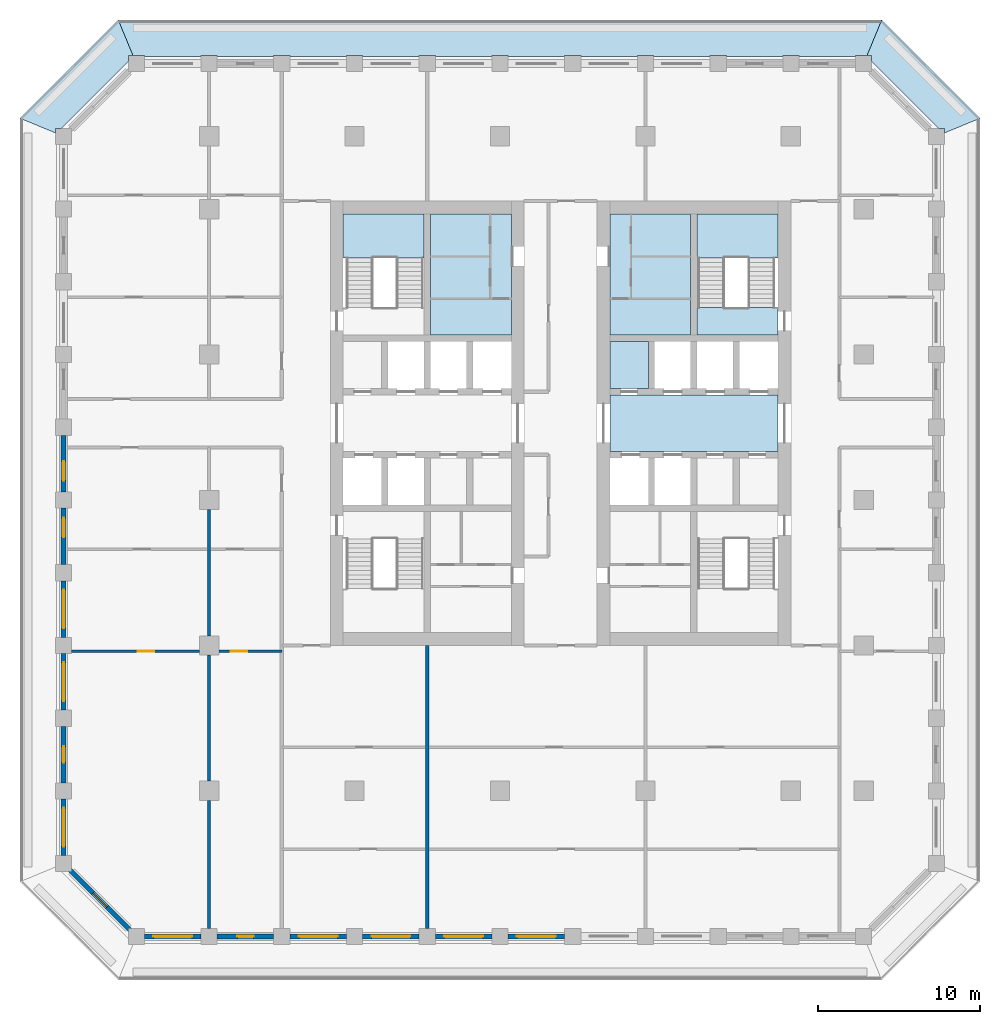
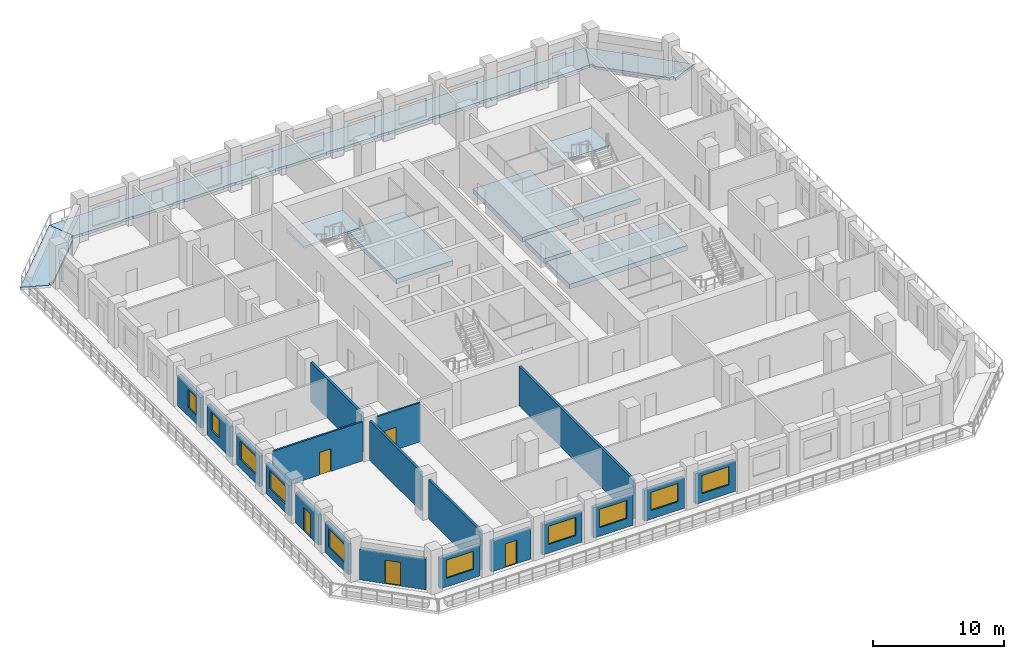
# One storey, part 2 of 16: 19 walls, 10 slabs, 10 windows, 5 doors, 15 openings, 2 elements without a shape of their own.
"""IFC4 building model written with IfcOpenShell, lengths in metres."""

from ifc_helpers import new_model, si_unit, direction, frame, frame_2d, origin, place, context, subcontext, project, spatial, polyline, rectangle, outline, extrude, material, layer, layer_set, type_object, element, fill, aggregate, save


model = new_model("IFC4")

# Units and contexts
model_context = context("Model", 3, precision=1e-05, world=origin(), true_north=direction((0.0, 1.0)))
body_context = subcontext(model_context, "Body", "Model", "MODEL_VIEW")
ifc_project = project(units=[si_unit("LENGTHUNIT", "METRE"), si_unit("AREAUNIT", "SQUARE_METRE"), si_unit("VOLUMEUNIT", "CUBIC_METRE"), si_unit("PLANEANGLEUNIT", "RADIAN"), si_unit("MASSUNIT", "GRAM", prefix="KILO")], contexts=[model_context])

# Site, building, storey
site_placement = place(None, origin())
site = spatial("IfcSite", under=ifc_project, at=site_placement, CompositionType="ELEMENT")
building_placement = place(site_placement, origin())
building = spatial("IfcBuilding", under=site, at=building_placement, Name="Corbel Stack Research Tower", CompositionType="ELEMENT")
storey_placement = place(building_placement, frame((0.0, 0.0, 177.300048828125)))
storey = spatial("IfcBuildingStorey", under=building, at=storey_placement, Name="L40", CompositionType="ELEMENT", Elevation=177.300048828125)

# Slabs
ifc_material_1 = material(Name="Concrete C45/55", Category="concrete")
ifc_layer_1 = layer(ifc_material_1, 0.25)
ifc_layer_set_1 = layer_set([ifc_layer_1], Name="Concrete C45/55")
slab_type_1 = type_object("IfcSlabType", Name="PT balcony slab 250 C45/55", PredefinedType="FLOOR", material=ifc_layer_set_1)
slab_1_placement = place(storey_placement, frame((0.0, 0.0, -0.25)))
element("IfcSlab", 1, at=slab_1_placement, inside=storey, type_object=slab_type_1, Name="Loggia slab L40 NE", PredefinedType="FLOOR", context=body_context, shape_type="SweptSolid", body=[
    extrude(outline(polyline([(22.70703125, 27.5), (23.0, 27.5), (23.0, 27.136474609375), (27.136474609375, 23.0), (27.5, 23.0), (27.5, 22.70703125), (29.699951171875, 23.618408203125), (23.618408203125, 29.699951171875), (22.70703125, 27.5)])), origin(), (0.0, 0.0, 1.0), 0.25),
])
slab_2_placement = place(storey_placement, frame((0.0, 0.0, -0.25)))
element("IfcSlab", 2, at=slab_2_placement, inside=storey, type_object=slab_type_1, Name="Loggia slab L40 N", PredefinedType="FLOOR", context=body_context, shape_type="SweptSolid", body=[
    extrude(outline(polyline([(-22.70703125, 27.5), (-22.0, 27.5), (-22.0, 27.449951171875), (-18.5, 27.449951171875), (-18.5, 27.5), (-17.5, 27.5), (-17.5, 27.449951171875), (-14.0, 27.449951171875), (-14.0, 27.5), (-13.0, 27.5), (-13.0, 27.449951171875), (-9.5, 27.449951171875), (-9.5, 27.5), (-8.5, 27.5), (-8.5, 27.449951171875), (-5.0, 27.449951171875), (-5.0, 27.5), (-4.0, 27.5), (-4.0, 27.449951171875), (-0.5, 27.449951171875), (-0.5, 27.5), (0.5, 27.5), (0.5, 27.449951171875), (4.0, 27.449951171875), (4.0, 27.5), (5.0, 27.5), (5.0, 27.449951171875), (8.5, 27.449951171875), (8.5, 27.5), (9.5, 27.5), (9.5, 27.449951171875), (13.0, 27.449951171875), (13.0, 27.5), (14.0, 27.5), (14.0, 27.449951171875), (17.5, 27.449951171875), (17.5, 27.5), (18.5, 27.5), (18.5, 27.449951171875), (22.0, 27.449951171875), (22.0, 27.5), (22.70703125, 27.5), (23.618408203125, 29.699951171875), (-23.618408203125, 29.699951171875), (-22.70703125, 27.5)])), origin(), (0.0, 0.0, 1.0), 0.25),
])
slab_3_placement = place(storey_placement, frame((0.0, 0.0, -0.25)))
element("IfcSlab", 3, at=slab_3_placement, inside=storey, type_object=slab_type_1, Name="Loggia slab L40 NW", PredefinedType="FLOOR", context=body_context, shape_type="SweptSolid", body=[
    extrude(outline(polyline([(-27.5, 22.70703125), (-27.5, 23.0), (-27.136474609375, 23.0), (-23.0, 27.136474609375), (-23.0, 27.5), (-22.70703125, 27.5), (-23.618408203125, 29.699951171875), (-29.699951171875, 23.618408203125), (-27.5, 22.70703125)])), origin(), (0.0, 0.0, 1.0), 0.25),
])
ifc_material_2 = material(Name="Concrete C45/55", Category="concrete")
ifc_layer_2 = layer(ifc_material_2, 0.449951171875)
ifc_layer_set_2 = layer_set([ifc_layer_2], Name="Concrete C45/55")
slab_type_2 = type_object("IfcSlabType", Name="PT-450", PredefinedType="FLOOR", material=ifc_layer_set_2)
slab_4_placement = place(storey_placement, frame((0.0, 0.0, -0.449951171875)))
element("IfcSlab", 4, at=slab_4_placement, inside=storey, type_object=slab_type_2, Name="West core floor L40", PredefinedType="FLOOR", context=body_context, shape_type="SweptSolid", body=[
    extrude(outline(polyline([(0.699951171875, 17.699951171875), (-4.300048828125, 17.699951171875), (-4.300048828125, 10.199951171875), (0.699951171875, 10.199951171875), (0.699951171875, 17.699951171875)])), origin(), (0.0, 0.0, 1.0), 0.449951171875),
])
slab_5_placement = place(storey_placement, frame((0.0, 0.0, -0.449951171875)))
element("IfcSlab", 5, at=slab_5_placement, inside=storey, type_object=slab_type_2, Name="East core floor L40", PredefinedType="FLOOR", context=body_context, shape_type="SweptSolid", body=[
    extrude(outline(polyline([(17.199951171875, 6.5), (6.800048828125, 6.5), (6.800048828125, 3.0), (17.199951171875, 3.0), (17.199951171875, 6.5)])), origin(), (0.0, 0.0, 1.0), 0.449951171875),
])
slab_6_placement = place(storey_placement, frame((0.0, 0.0, -0.449951171875)))
element("IfcSlab", 6, at=slab_6_placement, inside=storey, type_object=slab_type_2, Name="East core floor L40", PredefinedType="FLOOR", context=body_context, shape_type="SweptSolid", body=[
    extrude(outline(polyline([(6.800048828125, 6.89990234375), (9.175048828125, 6.89990234375), (9.175048828125, 9.800048828125), (6.800048828125, 9.800048828125), (6.800048828125, 6.89990234375)])), origin(), (0.0, 0.0, 1.0), 0.449951171875),
])
slab_7_placement = place(storey_placement, frame((0.0, 0.0, -0.449951171875)))
element("IfcSlab", 7, at=slab_7_placement, inside=storey, type_object=slab_type_2, Name="East core floor L40", PredefinedType="FLOOR", context=body_context, shape_type="SweptSolid", body=[
    extrude(outline(polyline([(6.800048828125, 17.699951171875), (6.800048828125, 10.199951171875), (11.800048828125, 10.199951171875), (11.800048828125, 17.699951171875), (6.800048828125, 17.699951171875)])), origin(), (0.0, 0.0, 1.0), 0.449951171875),
])
slab_8_placement = place(storey_placement, frame((0.0, 0.0, -0.449951171875)))
element("IfcSlab", 8, at=slab_8_placement, inside=storey, type_object=slab_type_2, Name="Stair floor landing ST-E2", PredefinedType="FLOOR", context=body_context, shape_type="SweptSolid", body=[
    extrude(outline(polyline([(12.199951171875, 10.199951171875), (17.199951171875, 10.199951171875), (17.199951171875, 11.89990234375), (12.199951171875, 11.89990234375), (12.199951171875, 10.199951171875)])), origin(), (0.0, 0.0, 1.0), 0.449951171875),
])

# Stair, slab
ifc_material_3 = material(Name="Concrete C40/50", Category="concrete")
stair_type = type_object("IfcStairType", Name="Exit stair 24 risers", PredefinedType="HALF_TURN_STAIR", material=ifc_material_3)
stair_1_placement = place(storey_placement, origin())
stair_1 = element("IfcStair", 9, at=stair_1_placement, inside=storey, type_object=stair_type, Name="L40 Exit stair ST-W2", PredefinedType="HALF_TURN_STAIR")
ifc_material_4 = material(Name="Concrete C40/50", Category="concrete")
ifc_layer_3 = layer(ifc_material_4, 0.199951171875)
ifc_layer_set_3 = layer_set([ifc_layer_3], Name="Concrete C40/50")
slab_type_3 = type_object("IfcSlabType", Name="Stair landing 200 C40/50", PredefinedType="LANDING", material=ifc_layer_set_3)
slab_9_placement = place(storey_placement, frame((0.0, 0.0, 1.849853515625)))
slab_9 = element("IfcSlab", 10, at=slab_9_placement, type_object=slab_type_3, Name="ST-W2 landing 1", PredefinedType="LANDING", context=body_context, shape_type="SweptSolid", body=[
    extrude(outline(polyline([(-9.699951171875, 14.97998046875), (-9.699951171875, 17.699951171875), (-4.699951171875, 17.699951171875), (-4.699951171875, 14.97998046875), (-9.699951171875, 14.97998046875)])), origin(), (0.0, 0.0, 1.0), 0.2001953125),
])
aggregate(stair_1, [slab_9])

stair_2_placement = place(storey_placement, origin())
stair_2 = element("IfcStair", 11, at=stair_2_placement, inside=storey, type_object=stair_type, Name="L40 Exit stair ST-E2", PredefinedType="HALF_TURN_STAIR")
slab_10_placement = place(storey_placement, frame((0.0, 0.0, 1.849853515625)))
slab_10 = element("IfcSlab", 12, at=slab_10_placement, type_object=slab_type_3, Name="ST-E2 landing 1", PredefinedType="LANDING", context=body_context, shape_type="SweptSolid", body=[
    extrude(outline(polyline([(12.199951171875, 14.97998046875), (12.199951171875, 17.699951171875), (17.199951171875, 17.699951171875), (17.199951171875, 14.97998046875), (12.199951171875, 14.97998046875)])), origin(), (0.0, 0.0, 1.0), 0.2001953125),
])
aggregate(stair_2, [slab_10])

# Walls
ifc_material_5 = material(Name="Fire-rated gypsum board partition on steel studs", Category="steel")
ifc_layer_4 = layer(ifc_material_5, 0.199951171875)
ifc_layer_set_4 = layer_set([ifc_layer_4], Name="Fire-rated gypsum board partition on steel studs")
wall_type_1 = type_object("IfcWallType", Name="Fire-rated partition 200 EI 60", PredefinedType="PARTITIONING", material=ifc_layer_set_4)
wall_1_placement = place(storey_placement, frame((-18.0, -26.5, 0.0), z_axis=(0.0, 0.0, 1.0), x_axis=(0.0, 1.0, 0.0)))
element("IfcWall", 13, at=wall_1_placement, inside=storey, type_object=wall_type_1, Name="Partition L40-001", PredefinedType="PARTITIONING", context=body_context, shape_type="SweptSolid", body=[
    extrude(rectangle(XDim=7.89990234375, YDim=0.199951171875, at=frame_2d((3.949951171875, 0.0))), origin(), (0.0, 0.0, 1.0), 3.64990234375),
])
for number, where, z_axis, x_axis, name in (
    (14, (-18.0, -17.39990234375, 0.0), (0.0, 0.0, 1.0), (0.0, 1.0, 0.0), "Partition L40-002"),
    (15, (-18.0, -8.39990234375, 0.0), (0.0, 0.0, 1.0), (0.0, 1.0, 0.0), "Partition L40-003"),
):
    element("IfcWall", number, at=place(storey_placement, frame(where, z_axis=z_axis, x_axis=x_axis)), inside=storey, type_object=wall_type_1, Name=name, PredefinedType="PARTITIONING", context=body_context, shape_type="SweptSolid", body=[
        extrude(rectangle(XDim=7.7998046875, YDim=0.199951171875, at=frame_2d((3.89990234375, 0.0))), origin(), (0.0, 0.0, 1.0), 3.64990234375),
    ])
wall_2_placement = place(storey_placement, frame((-4.5, -26.5, 0.0), z_axis=(0.0, 0.0, 1.0), x_axis=(0.0, 1.0, 0.0)))
element("IfcWall", 16, at=wall_2_placement, inside=storey, type_object=wall_type_1, Name="Partition L40-011", PredefinedType="PARTITIONING", context=body_context, shape_type="SweptSolid", body=[
    extrude(rectangle(XDim=17.5, YDim=0.199951171875, at=frame_2d((8.75, 0.0))), origin(), (0.0, 0.0, 1.0), 3.64990234375),
])

# Wall, opening, door
ifc_material_6 = material(Name="Gypsum board partition on steel studs", Category="steel")
ifc_layer_5 = layer(ifc_material_6, 0.14990234375)
ifc_layer_set_5 = layer_set([ifc_layer_5], Name="Gypsum board partition on steel studs")
wall_type_2 = type_object("IfcWallType", Name="Partition 150", PredefinedType="PARTITIONING", material=ifc_layer_set_5)
wall_3_placement = place(storey_placement, frame((-18.60009765625, -9.35009765625, 0.0), z_axis=(0.0, 0.0, 1.0), x_axis=(-1.0, 0.0, 0.0)))
wall_3 = element("IfcWall", 17, at=wall_3_placement, inside=storey, type_object=wall_type_2, Name="Partition L40-023", PredefinedType="PARTITIONING", context=body_context, shape_type="SweptSolid", body=[
    extrude(rectangle(XDim=7.89990234375, YDim=0.14990234375, at=frame_2d((3.949951171875, 0.0))), origin(), (0.0, 0.0, 1.0), 3.64990234375),
])
opening_1_placement = place(wall_3_placement, frame((2.800048828125, 0.0, 0.0)))
opening_1 = element("IfcOpeningElement", 18, at=opening_1_placement, cuts=wall_3, Name="Opening B5V2-009", PredefinedType="OPENING", context=body_context, shape_type="SweptSolid", body=[
    extrude(rectangle(XDim=1.0, YDim=2.10009765625, at=frame_2d((0.5, 1.050048828125))), frame((0.0, 0.0849609375, 0.0), z_axis=(0.0, -1.0, 0.0), x_axis=(1.0, 0.0, 0.0)), (0.0, 0.0, 1.0), 0.169921875),
])
ifc_material_7 = material(Name="Painted timber door", Category="wood")
door_type_1 = type_object("IfcDoorType", Name="Single door 1000 x 2100", OperationType="NOTDEFINED", PredefinedType="DOOR", material=ifc_material_7)
door_1_placement = place(opening_1_placement, origin())
door_1 = element("IfcDoor", 19, at=door_1_placement, inside=storey, type_object=door_type_1, Name="Door B5V2-009", OperationType="SINGLE_SWING_LEFT", OverallHeight=2.10009765625, OverallWidth=1.0, PredefinedType="DOOR", context=body_context, shape_type="SweptSolid", body=[
    extrude(rectangle(XDim=1.0, YDim=2.10009765625, at=frame_2d((0.5, 1.050048828125))), frame((0.0, 0.02490234375, 0.0), z_axis=(0.0, -1.0, 0.0), x_axis=(1.0, 0.0, 0.0)), (0.0, 0.0, 1.0), 0.050048828125),
])
fill(opening_1, door_1)

wall_4_placement = place(storey_placement, frame((-13.5, -9.35009765625, 0.0), z_axis=(0.0, 0.0, 1.0), x_axis=(-1.0, 0.0, 0.0)))
wall_4 = element("IfcWall", 20, at=wall_4_placement, inside=storey, type_object=wall_type_2, Name="Partition L40-024", PredefinedType="PARTITIONING", context=body_context, shape_type="SweptSolid", body=[
    extrude(rectangle(XDim=3.89990234375, YDim=0.14990234375, at=frame_2d((1.949951171875, 0.0))), origin(), (0.0, 0.0, 1.0), 3.64990234375),
])
opening_2_placement = place(wall_4_placement, frame((2.14990234375, 0.0, 0.0)))
opening_2 = element("IfcOpeningElement", 21, at=opening_2_placement, cuts=wall_4, Name="Opening B5V2-010", PredefinedType="OPENING", context=body_context, shape_type="SweptSolid", body=[
    extrude(rectangle(XDim=1.0, YDim=2.10009765625, at=frame_2d((0.5, 1.050048828125))), frame((0.0, 0.0849609375, 0.0), z_axis=(0.0, -1.0, 0.0), x_axis=(1.0, 0.0, 0.0)), (0.0, 0.0, 1.0), 0.169921875),
])
door_2_placement = place(opening_2_placement, origin())
door_2 = element("IfcDoor", 22, at=door_2_placement, inside=storey, type_object=door_type_1, Name="Door B5V2-010", OperationType="SINGLE_SWING_RIGHT", OverallHeight=2.10009765625, OverallWidth=1.0, PredefinedType="DOOR", context=body_context, shape_type="SweptSolid", body=[
    extrude(rectangle(XDim=1.0, YDim=2.10009765625, at=frame_2d((0.5, 1.050048828125))), frame((0.0, 0.02490234375, 0.0), z_axis=(0.0, -1.0, 0.0), x_axis=(1.0, 0.0, 0.0)), (0.0, 0.0, 1.0), 0.050048828125),
])
fill(opening_2, door_2)

# Wall, opening, window
ifc_material_8 = material(Name="Concrete C45/55", Category="concrete")
ifc_layer_6 = layer(ifc_material_8, 0.300048828125)
ifc_layer_set_6 = layer_set([ifc_layer_6], Name="Concrete C45/55")
wall_type_3 = type_object("IfcWallType", Name="Terracotta-faced concrete wall 300", PredefinedType="SOLIDWALL", material=ifc_layer_set_6)
wall_5_placement = place(storey_placement, frame((-18.5, -27.0, 0.0), z_axis=(0.0, 0.0, 1.0), x_axis=(-1.0, 0.0, 0.0)))
wall_5 = element("IfcWall", 23, at=wall_5_placement, inside=storey, type_object=wall_type_3, Name="Facade wall L40 S01", PredefinedType="SOLIDWALL", context=body_context, shape_type="SweptSolid", body=[
    extrude(rectangle(XDim=3.5, YDim=0.300048828125, at=frame_2d((1.75, 0.0))), origin(), (0.0, 0.0, 1.0), 2.849853515625),
])
opening_3_placement = place(wall_5_placement, frame((0.550048828125, 0.0, 0.800048828125)))
opening_3 = element("IfcOpeningElement", 24, at=opening_3_placement, cuts=wall_5, Name="Opening W1", PredefinedType="OPENING", context=body_context, shape_type="SweptSolid", body=[
    extrude(rectangle(XDim=2.39990234375, YDim=1.699951171875, at=frame_2d((1.199951171875, 0.85009765625))), frame((0.0, 0.159912109375, 0.0), z_axis=(0.0, -1.0, 0.0), x_axis=(1.0, 0.0, 0.0)), (0.0, 0.0, 1.0), 0.320068359375),
])
ifc_material_9 = material(Name="Aluminium frame, clear double glazing", Category="aluminium")
window_type_1 = type_object("IfcWindowType", Name="Window W1 2400 x 1700", PartitioningType="SINGLE_PANEL", PredefinedType="WINDOW", material=ifc_material_9)
window_1_placement = place(opening_3_placement, origin())
window_1 = element("IfcWindow", 25, at=window_1_placement, inside=storey, type_object=window_type_1, Name="Window W1 L40 S01", OverallHeight=1.699951171875, OverallWidth=2.39990234375, PartitioningType="SINGLE_PANEL", PredefinedType="WINDOW", context=body_context, shape_type="SweptSolid", body=[
    extrude(rectangle(XDim=2.39990234375, YDim=1.699951171875, at=frame_2d((1.199951171875, 0.85009765625))), frame((0.0, 0.030029296875, 0.0), z_axis=(0.0, -1.0, 0.0), x_axis=(1.0, 0.0, 0.0)), (0.0, 0.0, 1.0), 0.06005859375),
])
fill(opening_3, window_1)

# Wall, opening, door
wall_6_placement = place(storey_placement, frame((-14.0, -27.0, 0.0), z_axis=(0.0, 0.0, 1.0), x_axis=(-1.0, 0.0, 0.0)))
wall_6 = element("IfcWall", 26, at=wall_6_placement, inside=storey, type_object=wall_type_3, Name="Facade wall L40 S02", PredefinedType="SOLIDWALL", context=body_context, shape_type="SweptSolid", body=[
    extrude(rectangle(XDim=3.5, YDim=0.300048828125, at=frame_2d((1.75, 0.0))), origin(), (0.0, 0.0, 1.0), 2.849853515625),
])
opening_4_placement = place(wall_6_placement, frame((1.25, 0.0, 0.0)))
opening_4 = element("IfcOpeningElement", 27, at=opening_4_placement, cuts=wall_6, Name="Opening L40-B01", PredefinedType="OPENING", context=body_context, shape_type="SweptSolid", body=[
    extrude(rectangle(XDim=1.0, YDim=2.199951171875, at=frame_2d((0.5, 1.10009765625))), frame((0.0, 0.159912109375, 0.0), z_axis=(0.0, -1.0, 0.0), x_axis=(1.0, 0.0, 0.0)), (0.0, 0.0, 1.0), 0.320068359375),
])
ifc_material_10 = material(Name="Aluminium frame, clear double glazing", Category="aluminium")
door_type_2 = type_object("IfcDoorType", Name="Balcony door BD1 1000 x 2200", OperationType="NOTDEFINED", PredefinedType="DOOR", material=ifc_material_10)
door_3_placement = place(opening_4_placement, origin())
door_3 = element("IfcDoor", 28, at=door_3_placement, inside=storey, type_object=door_type_2, Name="Balcony door L40-B01", OperationType="SINGLE_SWING_RIGHT", OverallHeight=2.199951171875, OverallWidth=1.0, PredefinedType="DOOR", context=body_context, shape_type="SweptSolid", body=[
    extrude(rectangle(XDim=1.0, YDim=2.199951171875, at=frame_2d((0.5, 1.10009765625))), frame((0.0, 0.02490234375, 0.0), z_axis=(0.0, -1.0, 0.0), x_axis=(1.0, 0.0, 0.0)), (0.0, 0.0, 1.0), 0.050048828125),
])
fill(opening_4, door_3)

# Wall, opening, window
wall_7_placement = place(storey_placement, frame((-9.5, -27.0, 0.0), z_axis=(0.0, 0.0, 1.0), x_axis=(-1.0, 0.0, 0.0)))
wall_7 = element("IfcWall", 29, at=wall_7_placement, inside=storey, type_object=wall_type_3, Name="Facade wall L40 S03", PredefinedType="SOLIDWALL", context=body_context, shape_type="SweptSolid", body=[
    extrude(rectangle(XDim=3.5, YDim=0.300048828125, at=frame_2d((1.75, 0.0))), origin(), (0.0, 0.0, 1.0), 2.849853515625),
])
opening_5_placement = place(wall_7_placement, frame((0.550048828125, 0.0, 0.800048828125)))
opening_5 = element("IfcOpeningElement", 30, at=opening_5_placement, cuts=wall_7, Name="Opening W1", PredefinedType="OPENING", context=body_context, shape_type="SweptSolid", body=[
    extrude(rectangle(XDim=2.39990234375, YDim=1.699951171875, at=frame_2d((1.199951171875, 0.85009765625))), frame((0.0, 0.159912109375, 0.0), z_axis=(0.0, -1.0, 0.0), x_axis=(1.0, 0.0, 0.0)), (0.0, 0.0, 1.0), 0.320068359375),
])
window_2_placement = place(opening_5_placement, origin())
window_2 = element("IfcWindow", 31, at=window_2_placement, inside=storey, type_object=window_type_1, Name="Window W1 L40 S03", OverallHeight=1.699951171875, OverallWidth=2.39990234375, PartitioningType="SINGLE_PANEL", PredefinedType="WINDOW", context=body_context, shape_type="SweptSolid", body=[
    extrude(rectangle(XDim=2.39990234375, YDim=1.699951171875, at=frame_2d((1.199951171875, 0.85009765625))), frame((0.0, 0.030029296875, 0.0), z_axis=(0.0, -1.0, 0.0), x_axis=(1.0, 0.0, 0.0)), (0.0, 0.0, 1.0), 0.06005859375),
])
fill(opening_5, window_2)

wall_8_placement = place(storey_placement, frame((-5.0, -27.0, 0.0), z_axis=(0.0, 0.0, 1.0), x_axis=(-1.0, 0.0, 0.0)))
wall_8 = element("IfcWall", 32, at=wall_8_placement, inside=storey, type_object=wall_type_3, Name="Facade wall L40 S04", PredefinedType="SOLIDWALL", context=body_context, shape_type="SweptSolid", body=[
    extrude(rectangle(XDim=3.5, YDim=0.300048828125, at=frame_2d((1.75, 0.0))), origin(), (0.0, 0.0, 1.0), 2.849853515625),
])
opening_6_placement = place(wall_8_placement, frame((0.550048828125, 0.0, 0.800048828125)))
opening_6 = element("IfcOpeningElement", 33, at=opening_6_placement, cuts=wall_8, Name="Opening W1", PredefinedType="OPENING", context=body_context, shape_type="SweptSolid", body=[
    extrude(rectangle(XDim=2.39990234375, YDim=1.699951171875, at=frame_2d((1.199951171875, 0.85009765625))), frame((0.0, 0.159912109375, 0.0), z_axis=(0.0, -1.0, 0.0), x_axis=(1.0, 0.0, 0.0)), (0.0, 0.0, 1.0), 0.320068359375),
])
window_3_placement = place(opening_6_placement, origin())
window_3 = element("IfcWindow", 34, at=window_3_placement, inside=storey, type_object=window_type_1, Name="Window W1 L40 S04", OverallHeight=1.699951171875, OverallWidth=2.39990234375, PartitioningType="SINGLE_PANEL", PredefinedType="WINDOW", context=body_context, shape_type="SweptSolid", body=[
    extrude(rectangle(XDim=2.39990234375, YDim=1.699951171875, at=frame_2d((1.199951171875, 0.85009765625))), frame((0.0, 0.030029296875, 0.0), z_axis=(0.0, -1.0, 0.0), x_axis=(1.0, 0.0, 0.0)), (0.0, 0.0, 1.0), 0.06005859375),
])
fill(opening_6, window_3)

wall_9_placement = place(storey_placement, frame((-0.5, -27.0, 0.0), z_axis=(0.0, 0.0, 1.0), x_axis=(-1.0, 0.0, 0.0)))
wall_9 = element("IfcWall", 35, at=wall_9_placement, inside=storey, type_object=wall_type_3, Name="Facade wall L40 S05", PredefinedType="SOLIDWALL", context=body_context, shape_type="SweptSolid", body=[
    extrude(rectangle(XDim=3.5, YDim=0.300048828125, at=frame_2d((1.75, 0.0))), origin(), (0.0, 0.0, 1.0), 2.849853515625),
])
opening_7_placement = place(wall_9_placement, frame((0.550048828125, 0.0, 0.800048828125)))
opening_7 = element("IfcOpeningElement", 36, at=opening_7_placement, cuts=wall_9, Name="Opening W1", PredefinedType="OPENING", context=body_context, shape_type="SweptSolid", body=[
    extrude(rectangle(XDim=2.39990234375, YDim=1.699951171875, at=frame_2d((1.199951171875, 0.85009765625))), frame((0.0, 0.159912109375, 0.0), z_axis=(0.0, -1.0, 0.0), x_axis=(1.0, 0.0, 0.0)), (0.0, 0.0, 1.0), 0.320068359375),
])
window_4_placement = place(opening_7_placement, origin())
window_4 = element("IfcWindow", 37, at=window_4_placement, inside=storey, type_object=window_type_1, Name="Window W1 L40 S05", OverallHeight=1.699951171875, OverallWidth=2.39990234375, PartitioningType="SINGLE_PANEL", PredefinedType="WINDOW", context=body_context, shape_type="SweptSolid", body=[
    extrude(rectangle(XDim=2.39990234375, YDim=1.699951171875, at=frame_2d((1.199951171875, 0.85009765625))), frame((0.0, 0.030029296875, 0.0), z_axis=(0.0, -1.0, 0.0), x_axis=(1.0, 0.0, 0.0)), (0.0, 0.0, 1.0), 0.06005859375),
])
fill(opening_7, window_4)

wall_10_placement = place(storey_placement, frame((4.0, -27.0, 0.0), z_axis=(0.0, 0.0, 1.0), x_axis=(-1.0, 0.0, 0.0)))
wall_10 = element("IfcWall", 38, at=wall_10_placement, inside=storey, type_object=wall_type_3, Name="Facade wall L40 S06", PredefinedType="SOLIDWALL", context=body_context, shape_type="SweptSolid", body=[
    extrude(rectangle(XDim=3.5, YDim=0.300048828125, at=frame_2d((1.75, 0.0))), origin(), (0.0, 0.0, 1.0), 2.849853515625),
])
opening_8_placement = place(wall_10_placement, frame((0.550048828125, 0.0, 0.800048828125)))
opening_8 = element("IfcOpeningElement", 39, at=opening_8_placement, cuts=wall_10, Name="Opening W1", PredefinedType="OPENING", context=body_context, shape_type="SweptSolid", body=[
    extrude(rectangle(XDim=2.39990234375, YDim=1.699951171875, at=frame_2d((1.199951171875, 0.85009765625))), frame((0.0, 0.159912109375, 0.0), z_axis=(0.0, -1.0, 0.0), x_axis=(1.0, 0.0, 0.0)), (0.0, 0.0, 1.0), 0.320068359375),
])
window_5_placement = place(opening_8_placement, origin())
window_5 = element("IfcWindow", 40, at=window_5_placement, inside=storey, type_object=window_type_1, Name="Window W1 L40 S06", OverallHeight=1.699951171875, OverallWidth=2.39990234375, PartitioningType="SINGLE_PANEL", PredefinedType="WINDOW", context=body_context, shape_type="SweptSolid", body=[
    extrude(rectangle(XDim=2.39990234375, YDim=1.699951171875, at=frame_2d((1.199951171875, 0.85009765625))), frame((0.0, 0.030029296875, 0.0), z_axis=(0.0, -1.0, 0.0), x_axis=(1.0, 0.0, 0.0)), (0.0, 0.0, 1.0), 0.06005859375),
])
fill(opening_8, window_5)

wall_11_placement = place(storey_placement, frame((-27.0, 0.5, 0.0), z_axis=(0.0, 0.0, 1.0), x_axis=(0.0, 1.0, 0.0)))
wall_11 = element("IfcWall", 41, at=wall_11_placement, inside=storey, type_object=wall_type_3, Name="Facade wall L40 W05", PredefinedType="SOLIDWALL", context=body_context, shape_type="SweptSolid", body=[
    extrude(rectangle(XDim=3.5, YDim=0.300048828125, at=frame_2d((1.75, 0.0))), origin(), (0.0, 0.0, 1.0), 2.849853515625),
])
opening_9_placement = place(wall_11_placement, frame((0.699951171875, 0.0, 0.800048828125)))
opening_9 = element("IfcOpeningElement", 42, at=opening_9_placement, cuts=wall_11, Name="Opening W2", PredefinedType="OPENING", context=body_context, shape_type="SweptSolid", body=[
    extrude(rectangle(XDim=1.199951171875, YDim=1.699951171875, at=frame_2d((0.60009765625, 0.85009765625))), frame((0.0, 0.159912109375, 0.0), z_axis=(0.0, -1.0, 0.0), x_axis=(1.0, 0.0, 0.0)), (0.0, 0.0, 1.0), 0.320068359375),
])
ifc_material_11 = material(Name="Aluminium frame, clear double glazing", Category="aluminium")
window_type_2 = type_object("IfcWindowType", Name="Window W2 1200 x 1700", PartitioningType="SINGLE_PANEL", PredefinedType="WINDOW", material=ifc_material_11)
window_6_placement = place(opening_9_placement, origin())
window_6 = element("IfcWindow", 43, at=window_6_placement, inside=storey, type_object=window_type_2, Name="Window W2 L40 W05", OverallHeight=1.699951171875, OverallWidth=1.199951171875, PartitioningType="SINGLE_PANEL", PredefinedType="WINDOW", context=body_context, shape_type="SweptSolid", body=[
    extrude(rectangle(XDim=1.199951171875, YDim=1.699951171875, at=frame_2d((0.60009765625, 0.85009765625))), frame((0.0, 0.030029296875, 0.0), z_axis=(0.0, -1.0, 0.0), x_axis=(1.0, 0.0, 0.0)), (0.0, 0.0, 1.0), 0.06005859375),
])
fill(opening_9, window_6)

wall_12_placement = place(storey_placement, frame((-27.0, -4.0, 0.0), z_axis=(0.0, 0.0, 1.0), x_axis=(0.0, 1.0, 0.0)))
wall_12 = element("IfcWall", 44, at=wall_12_placement, inside=storey, type_object=wall_type_3, Name="Facade wall L40 W06", PredefinedType="SOLIDWALL", context=body_context, shape_type="SweptSolid", body=[
    extrude(rectangle(XDim=3.5, YDim=0.300048828125, at=frame_2d((1.75, 0.0))), origin(), (0.0, 0.0, 1.0), 2.849853515625),
])
opening_10_placement = place(wall_12_placement, frame((1.6875, 0.0, 0.800048828125)))
opening_10 = element("IfcOpeningElement", 45, at=opening_10_placement, cuts=wall_12, Name="Opening W2", PredefinedType="OPENING", context=body_context, shape_type="SweptSolid", body=[
    extrude(rectangle(XDim=1.199951171875, YDim=1.699951171875, at=frame_2d((0.60009765625, 0.85009765625))), frame((0.0, 0.159912109375, 0.0), z_axis=(0.0, -1.0, 0.0), x_axis=(1.0, 0.0, 0.0)), (0.0, 0.0, 1.0), 0.320068359375),
])
window_7_placement = place(opening_10_placement, origin())
window_7 = element("IfcWindow", 46, at=window_7_placement, inside=storey, type_object=window_type_2, Name="Window W2 L40 W06", OverallHeight=1.699951171875, OverallWidth=1.199951171875, PartitioningType="SINGLE_PANEL", PredefinedType="WINDOW", context=body_context, shape_type="SweptSolid", body=[
    extrude(rectangle(XDim=1.199951171875, YDim=1.699951171875, at=frame_2d((0.60009765625, 0.85009765625))), frame((0.0, 0.030029296875, 0.0), z_axis=(0.0, -1.0, 0.0), x_axis=(1.0, 0.0, 0.0)), (0.0, 0.0, 1.0), 0.06005859375),
])
fill(opening_10, window_7)

wall_13_placement = place(storey_placement, frame((-27.0, -8.5, 0.0), z_axis=(0.0, 0.0, 1.0), x_axis=(0.0, 1.0, 0.0)))
wall_13 = element("IfcWall", 47, at=wall_13_placement, inside=storey, type_object=wall_type_3, Name="Facade wall L40 W07", PredefinedType="SOLIDWALL", context=body_context, shape_type="SweptSolid", body=[
    extrude(rectangle(XDim=3.5, YDim=0.300048828125, at=frame_2d((1.75, 0.0))), origin(), (0.0, 0.0, 1.0), 2.849853515625),
])
opening_11_placement = place(wall_13_placement, frame((0.550048828125, 0.0, 0.800048828125)))
opening_11 = element("IfcOpeningElement", 48, at=opening_11_placement, cuts=wall_13, Name="Opening W1", PredefinedType="OPENING", context=body_context, shape_type="SweptSolid", body=[
    extrude(rectangle(XDim=2.39990234375, YDim=1.699951171875, at=frame_2d((1.199951171875, 0.85009765625))), frame((0.0, 0.159912109375, 0.0), z_axis=(0.0, -1.0, 0.0), x_axis=(1.0, 0.0, 0.0)), (0.0, 0.0, 1.0), 0.320068359375),
])
window_8_placement = place(opening_11_placement, origin())
window_8 = element("IfcWindow", 49, at=window_8_placement, inside=storey, type_object=window_type_1, Name="Window W1 L40 W07", OverallHeight=1.699951171875, OverallWidth=2.39990234375, PartitioningType="SINGLE_PANEL", PredefinedType="WINDOW", context=body_context, shape_type="SweptSolid", body=[
    extrude(rectangle(XDim=2.39990234375, YDim=1.699951171875, at=frame_2d((1.199951171875, 0.85009765625))), frame((0.0, 0.030029296875, 0.0), z_axis=(0.0, -1.0, 0.0), x_axis=(1.0, 0.0, 0.0)), (0.0, 0.0, 1.0), 0.06005859375),
])
fill(opening_11, window_8)

wall_14_placement = place(storey_placement, frame((-27.0, -13.0, 0.0), z_axis=(0.0, 0.0, 1.0), x_axis=(0.0, 1.0, 0.0)))
wall_14 = element("IfcWall", 50, at=wall_14_placement, inside=storey, type_object=wall_type_3, Name="Facade wall L40 W08", PredefinedType="SOLIDWALL", context=body_context, shape_type="SweptSolid", body=[
    extrude(rectangle(XDim=3.5, YDim=0.300048828125, at=frame_2d((1.75, 0.0))), origin(), (0.0, 0.0, 1.0), 2.849853515625),
])
opening_12_placement = place(wall_14_placement, frame((0.550048828125, 0.0, 0.800048828125)))
opening_12 = element("IfcOpeningElement", 51, at=opening_12_placement, cuts=wall_14, Name="Opening W1", PredefinedType="OPENING", context=body_context, shape_type="SweptSolid", body=[
    extrude(rectangle(XDim=2.39990234375, YDim=1.699951171875, at=frame_2d((1.199951171875, 0.85009765625))), frame((0.0, 0.159912109375, 0.0), z_axis=(0.0, -1.0, 0.0), x_axis=(1.0, 0.0, 0.0)), (0.0, 0.0, 1.0), 0.320068359375),
])
window_9_placement = place(opening_12_placement, origin())
window_9 = element("IfcWindow", 52, at=window_9_placement, inside=storey, type_object=window_type_1, Name="Window W1 L40 W08", OverallHeight=1.699951171875, OverallWidth=2.39990234375, PartitioningType="SINGLE_PANEL", PredefinedType="WINDOW", context=body_context, shape_type="SweptSolid", body=[
    extrude(rectangle(XDim=2.39990234375, YDim=1.699951171875, at=frame_2d((1.199951171875, 0.85009765625))), frame((0.0, 0.030029296875, 0.0), z_axis=(0.0, -1.0, 0.0), x_axis=(1.0, 0.0, 0.0)), (0.0, 0.0, 1.0), 0.06005859375),
])
fill(opening_12, window_9)

# Wall, opening, door
wall_15_placement = place(storey_placement, frame((-27.0, -17.5, 0.0), z_axis=(0.0, 0.0, 1.0), x_axis=(0.0, 1.0, 0.0)))
wall_15 = element("IfcWall", 53, at=wall_15_placement, inside=storey, type_object=wall_type_3, Name="Facade wall L40 W09", PredefinedType="SOLIDWALL", context=body_context, shape_type="SweptSolid", body=[
    extrude(rectangle(XDim=3.5, YDim=0.300048828125, at=frame_2d((1.75, 0.0))), origin(), (0.0, 0.0, 1.0), 2.849853515625),
])
opening_13_placement = place(wall_15_placement, frame((1.25, 0.0, 0.0)))
opening_13 = element("IfcOpeningElement", 54, at=opening_13_placement, cuts=wall_15, Name="Opening L40-B11", PredefinedType="OPENING", context=body_context, shape_type="SweptSolid", body=[
    extrude(rectangle(XDim=1.0, YDim=2.199951171875, at=frame_2d((0.5, 1.10009765625))), frame((0.0, 0.159912109375, 0.0), z_axis=(0.0, -1.0, 0.0), x_axis=(1.0, 0.0, 0.0)), (0.0, 0.0, 1.0), 0.320068359375),
])
door_4_placement = place(opening_13_placement, origin())
door_4 = element("IfcDoor", 55, at=door_4_placement, inside=storey, type_object=door_type_2, Name="Balcony door L40-B11", OperationType="SINGLE_SWING_LEFT", OverallHeight=2.199951171875, OverallWidth=1.0, PredefinedType="DOOR", context=body_context, shape_type="SweptSolid", body=[
    extrude(rectangle(XDim=1.0, YDim=2.199951171875, at=frame_2d((0.5, 1.10009765625))), frame((0.0, 0.02490234375, 0.0), z_axis=(0.0, -1.0, 0.0), x_axis=(1.0, 0.0, 0.0)), (0.0, 0.0, 1.0), 0.050048828125),
])
fill(opening_13, door_4)

# Wall, opening, window
wall_16_placement = place(storey_placement, frame((-27.0, -22.0, 0.0), z_axis=(0.0, 0.0, 1.0), x_axis=(0.0, 1.0, 0.0)))
wall_16 = element("IfcWall", 56, at=wall_16_placement, inside=storey, type_object=wall_type_3, Name="Facade wall L40 W10", PredefinedType="SOLIDWALL", context=body_context, shape_type="SweptSolid", body=[
    extrude(rectangle(XDim=3.5, YDim=0.300048828125, at=frame_2d((1.75, 0.0))), origin(), (0.0, 0.0, 1.0), 2.849853515625),
])
opening_14_placement = place(wall_16_placement, frame((0.550048828125, 0.0, 0.800048828125)))
opening_14 = element("IfcOpeningElement", 57, at=opening_14_placement, cuts=wall_16, Name="Opening W1", PredefinedType="OPENING", context=body_context, shape_type="SweptSolid", body=[
    extrude(rectangle(XDim=2.39990234375, YDim=1.699951171875, at=frame_2d((1.199951171875, 0.85009765625))), frame((0.0, 0.159912109375, 0.0), z_axis=(0.0, -1.0, 0.0), x_axis=(1.0, 0.0, 0.0)), (0.0, 0.0, 1.0), 0.320068359375),
])
window_10_placement = place(opening_14_placement, origin())
window_10 = element("IfcWindow", 58, at=window_10_placement, inside=storey, type_object=window_type_1, Name="Window W1 L40 W10", OverallHeight=1.699951171875, OverallWidth=2.39990234375, PartitioningType="SINGLE_PANEL", PredefinedType="WINDOW", context=body_context, shape_type="SweptSolid", body=[
    extrude(rectangle(XDim=2.39990234375, YDim=1.699951171875, at=frame_2d((1.199951171875, 0.85009765625))), frame((0.0, 0.030029296875, 0.0), z_axis=(0.0, -1.0, 0.0), x_axis=(1.0, 0.0, 0.0)), (0.0, 0.0, 1.0), 0.06005859375),
])
fill(opening_14, window_10)

# Wall, opening, door
wall_17_placement = place(storey_placement, frame((-22.893798828125, -26.606201171875, 0.0), z_axis=(0.0, 0.0, 1.0), x_axis=(-0.707106781187, 0.707106781187, 0.0)))
wall_17 = element("IfcWall", 59, at=wall_17_placement, inside=storey, type_object=wall_type_3, Name="Facade wall L40 SW01", PredefinedType="SOLIDWALL", context=body_context, shape_type="SweptSolid", body=[
    extrude(rectangle(XDim=5.250244140625, YDim=0.300048828125, at=frame_2d((2.625, 0.0))), origin(), (0.0, 0.0, 1.0), 2.849853515625),
])
opening_15_placement = place(wall_17_placement, frame((2.02490234375, 0.0, 0.0)))
opening_15 = element("IfcOpeningElement", 60, at=opening_15_placement, cuts=wall_17, Name="Opening L40-B12", PredefinedType="OPENING", context=body_context, shape_type="SweptSolid", body=[
    extrude(rectangle(XDim=1.199951171875, YDim=2.199951171875, at=frame_2d((0.60009765625, 1.10009765625))), frame((0.0, 0.159912109375, 0.0), z_axis=(0.0, -1.0, 0.0), x_axis=(1.0, 0.0, 0.0)), (0.0, 0.0, 1.0), 0.320068359375),
])
ifc_material_12 = material(Name="Aluminium frame, clear double glazing", Category="aluminium")
door_type_3 = type_object("IfcDoorType", Name="Balcony door BD2 1200 x 2200", OperationType="NOTDEFINED", PredefinedType="DOOR", material=ifc_material_12)
door_5_placement = place(opening_15_placement, origin())
door_5 = element("IfcDoor", 61, at=door_5_placement, inside=storey, type_object=door_type_3, Name="Balcony door L40-B12", OperationType="SINGLE_SWING_LEFT", OverallHeight=2.199951171875, OverallWidth=1.199951171875, PredefinedType="DOOR", context=body_context, shape_type="SweptSolid", body=[
    extrude(rectangle(XDim=1.199951171875, YDim=2.199951171875, at=frame_2d((0.60009765625, 1.10009765625))), frame((0.0, 0.02490234375, 0.0), z_axis=(0.0, -1.0, 0.0), x_axis=(1.0, 0.0, 0.0)), (0.0, 0.0, 1.0), 0.050048828125),
])
fill(opening_15, door_5)

save(model, "model.ifc")
